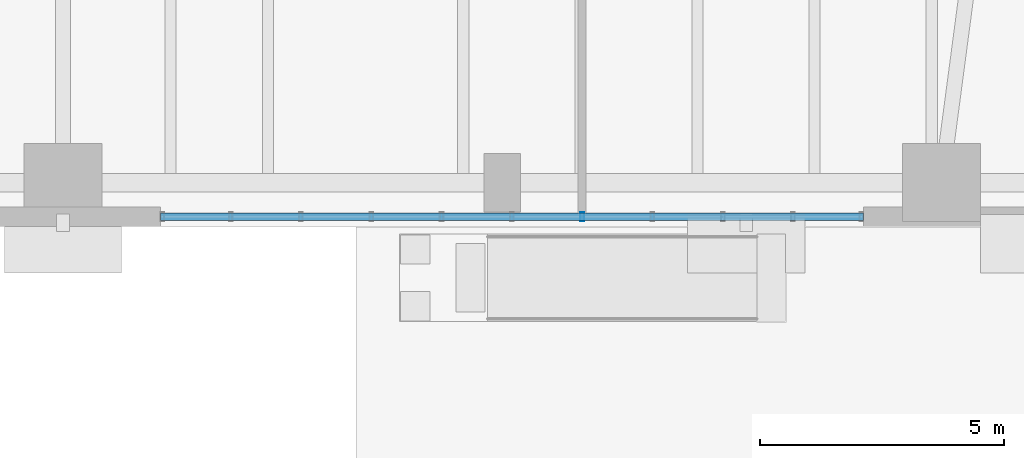
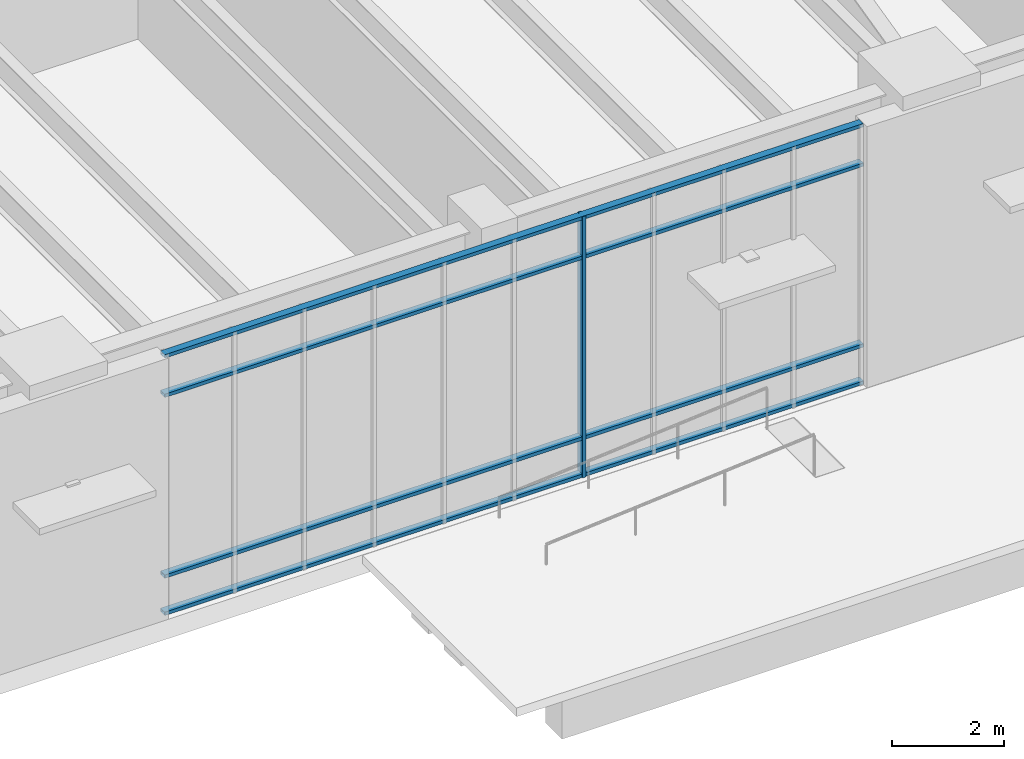
# One storey, part 5 of 28: 5 members, 1 element without a shape of its own.
"""IFC4 building model written with IfcOpenShell, lengths in metres."""

from ifc_helpers import new_model, si_unit, direction, frame, origin, origin_2d, place, context, subcontext, project, spatial, hollow_rectangle, extrude, material, layer, layer_set, material_profile, profile_set, type_object, element, aggregate, save


model = new_model("IFC4")

# Units and contexts
model_context = context("Model", 3, precision=1e-05, world=origin(), true_north=direction((0.0, 1.0)))
body_context = subcontext(model_context, "Body", "Model", "MODEL_VIEW")
ifc_project = project(units=[si_unit("LENGTHUNIT", "METRE"), si_unit("AREAUNIT", "SQUARE_METRE"), si_unit("VOLUMEUNIT", "CUBIC_METRE"), si_unit("PLANEANGLEUNIT", "RADIAN"), si_unit("MASSUNIT", "GRAM", prefix="KILO"), si_unit("THERMODYNAMICTEMPERATUREUNIT", "KELVIN"), si_unit("POWERUNIT", "WATT")], contexts=[model_context])

# Site, building, storey
site_placement = place(None, origin())
site = spatial("IfcSite", under=ifc_project, at=site_placement, CompositionType="ELEMENT")
building_placement = place(site_placement, origin())
building = spatial("IfcBuilding", under=site, at=building_placement, Name="Skarre Station Tower", CompositionType="ELEMENT")
storey_placement = place(building_placement, origin())
storey = spatial("IfcBuildingStorey", under=building, at=storey_placement, Name="L01", CompositionType="ELEMENT", Elevation=0.0)

# Curtain wall, members
ifc_material_1 = material(Name="Thermally Broken Bronze-Anodized Aluminium & Triple Low-E Glass", Category="aluminium")
ifc_layer = layer(ifc_material_1, 0.239990234375, Name="Thermally Broken Bronze-Anodized Aluminium & Triple Low-E Glass")
ifc_layer_set = layer_set([ifc_layer], Name="Thermally Broken Bronze-Anodized Aluminium & Triple Low-E Glass")
curtain_wall_type = type_object("IfcCurtainWallType", Name="Station Concourse Monumental Unitised Curtain Wall", PredefinedType="NOTDEFINED", material=ifc_layer_set)
curtain_wall_placement = place(storey_placement, origin())
curtain_wall = element("IfcCurtainWall", 1, at=curtain_wall_placement, inside=storey, type_object=curtain_wall_type, Name="L01 South Concourse Portal East Curtain Wall", PredefinedType="NOTDEFINED")
ifc_material_2 = material(Name="Anodized Aluminium 6063-T6", Category="aluminium")
ifc_material_profile_1 = material_profile(ifc_material_2, hollow_rectangle(XDim=0.074951171875, YDim=0.179931640625, WallThickness=0.00390625, at=origin_2d()), Name="Anodized Aluminium 6063-T6")
ifc_profile_set_1 = profile_set([ifc_material_profile_1], Name="Anodized Aluminium 6063-T6")
member_type_1 = type_object("IfcMemberType", Name="Curtain-Wall Heavy Concourse Mullion 180x75", PredefinedType="MULLION", material=ifc_profile_set_1)
member_1_placement = place(storey_placement, frame((46.639892578125, 0.199951171875, 0.0), z_axis=(0.0, 0.0, 1.0), x_axis=(-1.0, 0.0, 0.0)))
member_1 = element("IfcMember", 2, at=member_1_placement, type_object=member_type_1, Name="L01 South Concourse Portal East Curtain Wall Mullion 5", PredefinedType="MULLION", context=body_context, shape_type="SweptSolid", body=[
    extrude(hollow_rectangle(XDim=0.074951171875, YDim=0.179931640625, WallThickness=0.00390625, at=origin_2d()), origin(), (0.0, 0.0, 1.0), 5.68994140625),
])
ifc_material_profile_2 = material_profile(ifc_material_2, hollow_rectangle(XDim=0.074951171875, YDim=0.14990234375, WallThickness=0.00390625, at=origin_2d()), Name="Anodized Aluminium 6063-T6")
ifc_profile_set_2 = profile_set([ifc_material_profile_2], Name="Anodized Aluminium 6063-T6")
member_type_2 = type_object("IfcMemberType", Name="Curtain-Wall Horizontal Transom 150x75", PredefinedType="USERDEFINED", material=ifc_profile_set_2)
member_2_placement = place(storey_placement, frame((52.39990234375, 0.199951171875, 0.0400390625), z_axis=(-1.0, 0.0, 0.0), x_axis=(0.0, 0.0, 1.0)))
member_2 = element("IfcMember", 3, at=member_2_placement, type_object=member_type_2, Name="L01 South Concourse Portal East Curtain Wall Transom 1", ObjectType="TRANSOM", PredefinedType="USERDEFINED", context=body_context, shape_type="SweptSolid", body=[
    extrude(hollow_rectangle(XDim=0.074951171875, YDim=0.14990234375, WallThickness=0.00390625, at=origin_2d()), origin(), (0.0, 0.0, 1.0), 14.39990234375),
])
member_3_placement = place(storey_placement, frame((52.39990234375, 0.199951171875, 0.85009765625), z_axis=(-1.0, 0.0, 0.0), x_axis=(0.0, 0.0, 1.0)))
member_3 = element("IfcMember", 4, at=member_3_placement, type_object=member_type_2, Name="L01 South Concourse Portal East Curtain Wall Transom 2", ObjectType="TRANSOM", PredefinedType="USERDEFINED", context=body_context, shape_type="SweptSolid", body=[
    extrude(hollow_rectangle(XDim=0.074951171875, YDim=0.14990234375, WallThickness=0.00390625, at=origin_2d()), origin(), (0.0, 0.0, 1.0), 14.39990234375),
])
member_4_placement = place(storey_placement, frame((52.39990234375, 0.199951171875, 4.7900390625), z_axis=(-1.0, 0.0, 0.0), x_axis=(0.0, 0.0, 1.0)))
member_4 = element("IfcMember", 5, at=member_4_placement, type_object=member_type_2, Name="L01 South Concourse Portal East Curtain Wall Transom 3", ObjectType="TRANSOM", PredefinedType="USERDEFINED", context=body_context, shape_type="SweptSolid", body=[
    extrude(hollow_rectangle(XDim=0.074951171875, YDim=0.14990234375, WallThickness=0.00390625, at=origin_2d()), origin(), (0.0, 0.0, 1.0), 14.39990234375),
])
member_5_placement = place(storey_placement, frame((52.39990234375, 0.199951171875, 5.64990234375), z_axis=(-1.0, 0.0, 0.0), x_axis=(0.0, 0.0, 1.0)))
member_5 = element("IfcMember", 6, at=member_5_placement, type_object=member_type_2, Name="L01 South Concourse Portal East Curtain Wall Transom 4", ObjectType="TRANSOM", PredefinedType="USERDEFINED", context=body_context, shape_type="SweptSolid", body=[
    extrude(hollow_rectangle(XDim=0.074951171875, YDim=0.14990234375, WallThickness=0.00390625, at=origin_2d()), origin(), (0.0, 0.0, 1.0), 14.39990234375),
])
aggregate(curtain_wall, [member_1, member_2, member_3, member_4, member_5])

save(model, "model.ifc")
